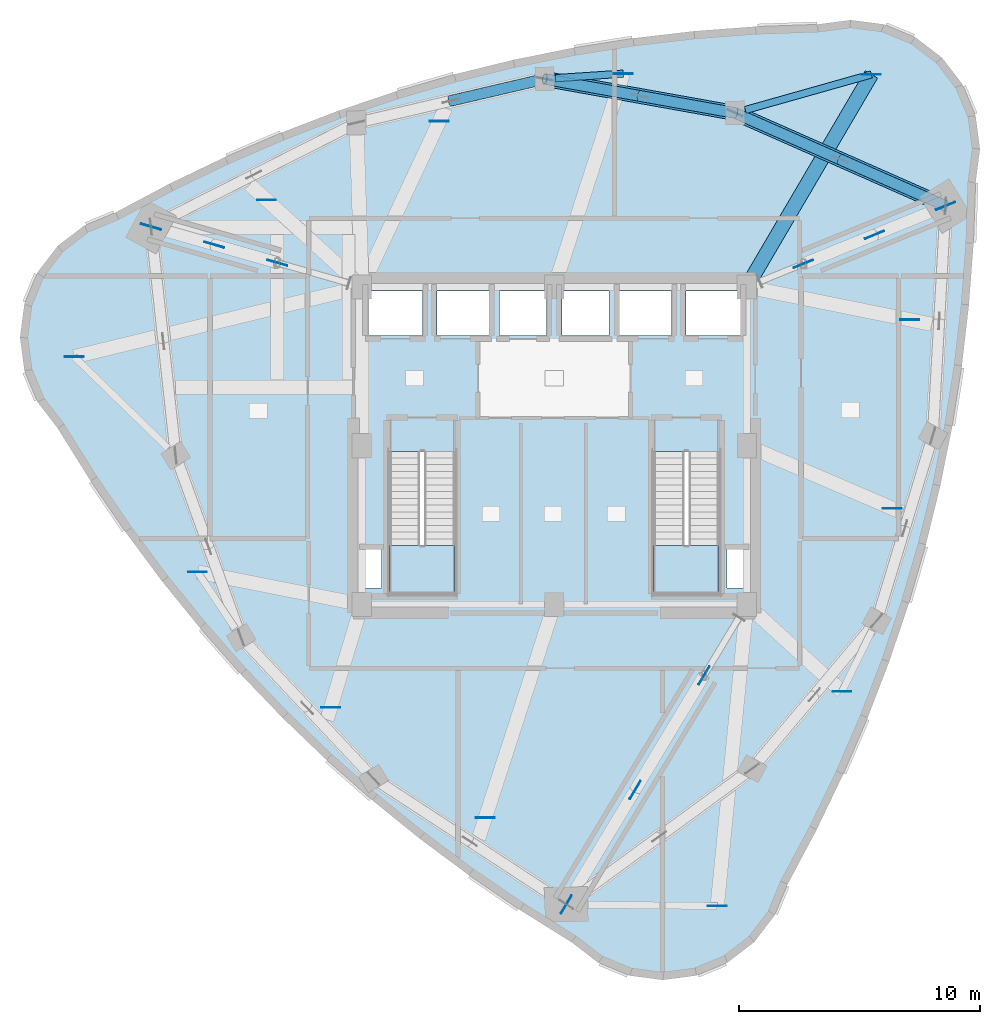
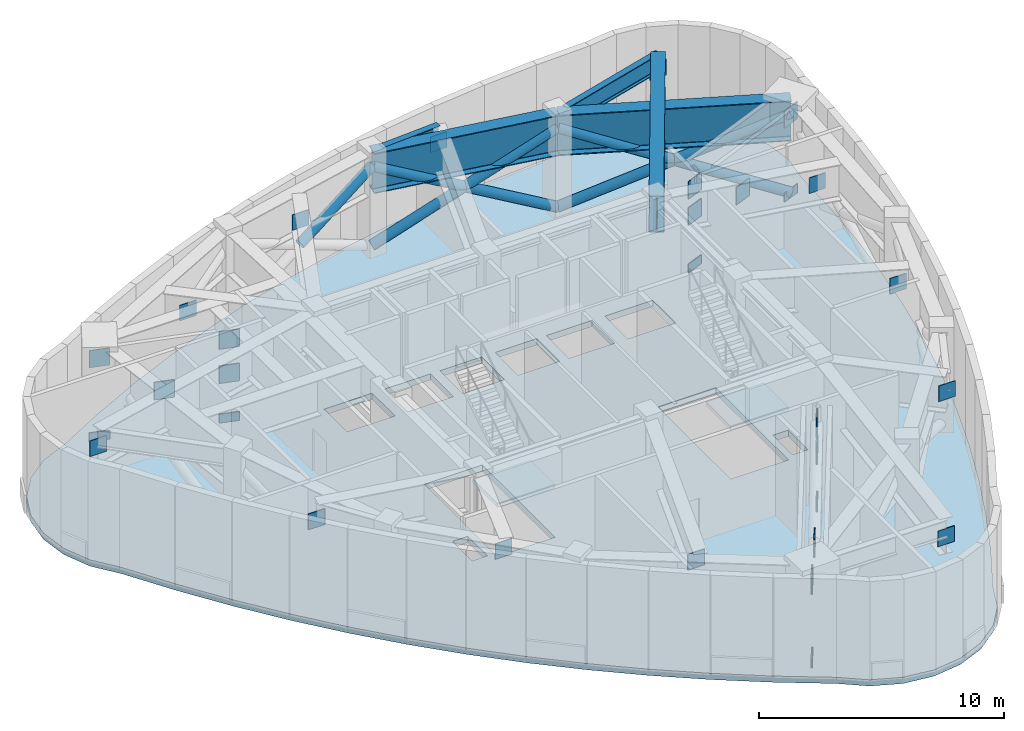
# One storey, part 3 of 10: 30 plates, 7 members, 5 beams, 3 slabs, 2 elements without a shape of their own.
"""IFC4 building model written with IfcOpenShell, lengths in metres."""

from ifc_helpers import new_model, si_unit, direction, frame, origin, origin_2d, place, context, subcontext, project, spatial, polyline, rectangle, hollow_circle, i_section, outline, extrude, material, layer, layer_set, material_profile, profile_set, type_object, element, aggregate, save


model = new_model("IFC4")

# Units and contexts
model_context = context("Model", 3, precision=1e-05, world=origin(), true_north=direction((0.0, 1.0)))
body_context = subcontext(model_context, "Body", "Model", "MODEL_VIEW")
ifc_project = project(units=[si_unit("LENGTHUNIT", "METRE"), si_unit("AREAUNIT", "SQUARE_METRE"), si_unit("VOLUMEUNIT", "CUBIC_METRE"), si_unit("PLANEANGLEUNIT", "RADIAN"), si_unit("MASSUNIT", "GRAM", prefix="KILO")], contexts=[model_context])

# Site, building, storey
site_placement = place(None, origin())
site = spatial("IfcSite", under=ifc_project, at=site_placement, CompositionType="ELEMENT")
building_placement = place(site_placement, origin())
building = spatial("IfcBuilding", under=site, at=building_placement, Name="Ndelora Gate Hotel", CompositionType="ELEMENT")
storey_placement = place(building_placement, frame((0.0, 0.0, 254.949951171875)))
storey = spatial("IfcBuildingStorey", under=building, at=storey_placement, Name="L64", CompositionType="ELEMENT", Elevation=254.949951171875)

# Beams
ifc_material_1 = material(Name="Steel S460", Category="steel")
ifc_material_profile_1 = material_profile(ifc_material_1, i_section(OverallWidth=0.300048828125, OverallDepth=0.89990234375, WebThickness=0.0185546875, FlangeThickness=0.034912109375, FilletRadius=0.030029296875, at=origin_2d()), Name="HEB 900")
ifc_profile_set_1 = profile_set([ifc_material_profile_1], Name="Steel S460")
beam_type_1 = type_object("IfcBeamType", Name="BM-BELT-900", PredefinedType="SPANDREL", material=ifc_profile_set_1)
beam_1_placement = place(storey_placement, frame((13.177001953125, 15.428466796875, 4.550048828125), z_axis=(-0.962397948277, -0.271643496429, 0.0), x_axis=(0.271643496429, -0.962397948277, 0.0)))
element("IfcBeam", 1, at=beam_1_placement, inside=storey, type_object=beam_type_1, Name="L64 Setback Corner Transfer Edge Tie 3", PredefinedType="SPANDREL", context=body_context, shape_type="SweptSolid", body=[
    extrude(i_section(OverallWidth=0.300048828125, OverallDepth=0.89990234375, WebThickness=0.0185546875, FlangeThickness=0.034912109375, FilletRadius=0.030029296875, at=origin_2d()), origin(), (0.0, 0.0, 1.0), 5.440185546875),
])
beam_2_placement = place(storey_placement, frame((2.865478515625, 15.461181640625, 4.550048828125), z_axis=(-0.997767129488, -0.06678888615, 0.0), x_axis=(0.06678888615, -0.997767129488, 0.0)))
element("IfcBeam", 2, at=beam_2_placement, inside=storey, type_object=beam_type_1, Name="L64 Setback Corner Transfer Edge Tie 10", PredefinedType="SPANDREL", context=body_context, shape_type="SweptSolid", body=[
    extrude(i_section(OverallWidth=0.300048828125, OverallDepth=0.89990234375, WebThickness=0.0185546875, FlangeThickness=0.034912109375, FilletRadius=0.030029296875, at=origin_2d()), origin(), (0.0, 0.0, 1.0), 2.822021484375),
])
ifc_material_profile_2 = material_profile(ifc_material_1, i_section(OverallWidth=0.60009765625, OverallDepth=1.800048828125, WebThickness=0.028076171875, FlangeThickness=0.0400390625, FilletRadius=0.02392578125, at=origin_2d()), Name="PG 1800x600x40")
ifc_profile_set_2 = profile_set([ifc_material_profile_2], Name="Steel S460")
beam_type_2 = type_object("IfcBeamType", Name="BM-TR-1800", PredefinedType="BEAM", material=ifc_profile_set_2)
beam_3_placement = place(storey_placement, frame((8.0, 6.60009765625, 4.10009765625), z_axis=(0.505846833852, 0.862623313319, 0.0), x_axis=(-0.862623313319, 0.505846833852, 0.0)))
element("IfcBeam", 3, at=beam_3_placement, inside=storey, type_object=beam_type_2, Name="L64 Setback Two-Support Radial Transfer Girder 3", PredefinedType="BEAM", context=body_context, shape_type="SweptSolid", body=[
    extrude(i_section(OverallWidth=0.60009765625, OverallDepth=1.800048828125, WebThickness=0.028076171875, FlangeThickness=0.0400390625, FilletRadius=0.02392578125, at=origin_2d()), origin(), (0.0, 0.0, 1.0), 10.234375),
])
ifc_material_profile_3 = material_profile(ifc_material_1, i_section(OverallWidth=0.6201171875, OverallDepth=2.0, WebThickness=0.028076171875, FlangeThickness=0.0400390625, FilletRadius=0.02392578125, at=origin_2d()), Name="PG 2000x620x40")
ifc_profile_set_3 = profile_set([ifc_material_profile_3], Name="Steel S460")
beam_type_3 = type_object("IfcBeamType", Name="BM-TR-2000", PredefinedType="BEAM", material=ifc_profile_set_3)
beam_4_placement = place(storey_placement, frame((16.26025390625, 9.96435546875, 4.0), z_axis=(-0.914807449647, 0.403890245078, 0.0), x_axis=(-0.403890245078, -0.914807449647, 0.0)))
element("IfcBeam", 4, at=beam_4_placement, inside=storey, type_object=beam_type_3, Name="L64 Belt Truss Top Chord Girder 9", PredefinedType="BEAM", context=body_context, shape_type="SweptSolid", body=[
    extrude(i_section(OverallWidth=0.6201171875, OverallDepth=2.0, WebThickness=0.028076171875, FlangeThickness=0.0400390625, FilletRadius=0.02392578125, at=origin_2d()), origin(), (0.0, 0.0, 1.0), 9.56689453125),
])
beam_5_placement = place(storey_placement, frame((7.50830078125, 13.828369140625, 4.0), z_axis=(-0.984373619655, 0.176092523767, 0.0), x_axis=(-0.176092523767, -0.984373619655, 0.0)))
element("IfcBeam", 5, at=beam_5_placement, inside=storey, type_object=beam_type_3, Name="L64 Belt Truss Top Chord Girder 10", PredefinedType="BEAM", context=body_context, shape_type="SweptSolid", body=[
    extrude(i_section(OverallWidth=0.6201171875, OverallDepth=2.0, WebThickness=0.028076171875, FlangeThickness=0.0400390625, FilletRadius=0.02392578125, at=origin_2d()), origin(), (0.0, 0.0, 1.0), 8.032958984375),
])

# Members
ifc_material_profile_4 = material_profile(ifc_material_1, hollow_circle(Radius=0.228515625, WallThickness=0.02490234375, at=origin_2d()), Name="CHS 457x25")
ifc_profile_set_4 = profile_set([ifc_material_profile_4], Name="Steel S460")
member_type = type_object("IfcMemberType", Name="MB-BELT-457", PredefinedType="BRACE", material=ifc_profile_set_4)
member_1_placement = place(storey_placement, frame((16.26025390625, 9.96435546875, 0.239990234375), z_axis=(-0.845259809542, 0.373184752444, 0.382451297444), x_axis=(-0.403890245078, -0.914807449647, 0.0)))
element("IfcMember", 6, at=member_1_placement, inside=storey, type_object=member_type, Name="L64 Storey-Deep Belt Truss Continuous Diagonal 9A", PredefinedType="BRACE", context=body_context, shape_type="SweptSolid", body=[
    extrude(hollow_circle(Radius=0.228515625, WallThickness=0.02490234375, at=origin_2d()), origin(), (0.0, 0.0, 1.0), 10.354248046875),
])
member_2_placement = place(storey_placement, frame((7.50830078125, 13.828369140625, 0.239990234375), z_axis=(0.845267247118, -0.373164456954, 0.382454662694), x_axis=(0.40386888854, 0.914816878326, 0.0)))
element("IfcMember", 7, at=member_2_placement, inside=storey, type_object=member_type, Name="L64 Storey-Deep Belt Truss Split Diagonal 9B-Lower", PredefinedType="BRACE", context=body_context, shape_type="SweptSolid", body=[
    extrude(hollow_circle(Radius=0.228515625, WallThickness=0.02490234375, at=origin_2d()), origin(), (0.0, 0.0, 1.0), 5.177001953125),
])
member_3_placement = place(storey_placement, frame((11.88427734375, 11.896484375, 2.219970703125), z_axis=(0.845252371692, -0.373205047399, 0.38244793207), x_axis=(0.403911600956, 0.914798020665, 0.0)))
element("IfcMember", 8, at=member_3_placement, inside=storey, type_object=member_type, Name="L64 Storey-Deep Belt Truss Split Diagonal 9B-Upper", PredefinedType="BRACE", context=body_context, shape_type="SweptSolid", body=[
    extrude(hollow_circle(Radius=0.228515625, WallThickness=0.02490234375, at=origin_2d()), origin(), (0.0, 0.0, 1.0), 5.17724609375),
])
member_4_placement = place(storey_placement, frame((7.50830078125, 13.828369140625, 0.239990234375), z_axis=(-0.882922165509, 0.157944086787, 0.4421562112), x_axis=(-0.176092523767, -0.984373619655, 0.0)))
element("IfcMember", 9, at=member_4_placement, inside=storey, type_object=member_type, Name="L64 Storey-Deep Belt Truss Continuous Diagonal 10A", PredefinedType="BRACE", context=body_context, shape_type="SweptSolid", body=[
    extrude(hollow_circle(Radius=0.228515625, WallThickness=0.02490234375, at=origin_2d()), origin(), (0.0, 0.0, 1.0), 8.9560546875),
])
member_5_placement = place(storey_placement, frame((-0.399169921875, 15.242919921875, 0.239990234375), z_axis=(0.882928174703, -0.157940285404, 0.442145569425), x_axis=(0.176087255709, 0.984374562033, 0.0)))
element("IfcMember", 10, at=member_5_placement, inside=storey, type_object=member_type, Name="L64 Storey-Deep Belt Truss Split Diagonal 10B-Lower", PredefinedType="BRACE", context=body_context, shape_type="SweptSolid", body=[
    extrude(hollow_circle(Radius=0.228515625, WallThickness=0.02490234375, at=origin_2d()), origin(), (0.0, 0.0, 1.0), 4.47802734375),
])
for number, where, z_axis, x_axis, name in (
    (11, (3.5546875, 14.53564453125, 2.219970703125), (0.88291615588, -0.157947888328, 0.442166853414), (0.176097792135, 0.984372677194, 0.0), "L64 Storey-Deep Belt Truss Split Diagonal 10B-Upper"),
    (12, (-4.310302734375, 14.32958984375, 2.219970703125), (0.873433056905, 0.203964610854, 0.442168669881), (-0.227402555898, 0.973800840814, 0.0), "L64 Storey-Deep Belt Truss Split Diagonal 11B-Upper"),
):
    element("IfcMember", number, at=place(storey_placement, frame(where, z_axis=z_axis, x_axis=x_axis)), inside=storey, type_object=member_type, Name=name, PredefinedType="BRACE", context=body_context, shape_type="SweptSolid", body=[
        extrude(hollow_circle(Radius=0.228515625, WallThickness=0.02490234375, at=origin_2d()), origin(), (0.0, 0.0, 1.0), 4.477783203125),
    ])

# Plates
ifc_layer_1 = layer(ifc_material_1, 0.030029296875)
ifc_layer_set_1 = layer_set([ifc_layer_1], Name="Steel S460")
plate_type_1 = type_object("IfcPlateType", Name="PL-NODE-KN3", PredefinedType="USERDEFINED", material=ifc_layer_set_1)
for number, where, z_axis, x_axis, name in (
    (13, (-19.949951171875, 3.697509765625, 3.7099609375), (0.0, 0.0, 1.0), (1.0, 0.0, 0.0), "Node gusset cap plate KN3"),
    (14, (6.772705078125, -19.1259765625, 3.7099609375), (0.0, 0.0, 1.0), (1.0, 0.0, 0.0), "Node gusset cap plate KN3"),
    (15, (13.177001953125, 15.428466796875, 3.7099609375), (0.0, 0.0, 1.0), (1.0, 0.0, 0.0), "Node gusset cap plate KN3"),
    (16, (-14.822509765625, -5.248779296875, 3.7099609375), (0.0, 0.0, 1.0), (1.0, 0.0, 0.0), "Node gusset cap plate KN3"),
    (17, (-9.2890625, -10.876220703125, 3.7099609375), (0.0, 0.0, 1.0), (1.0, 0.0, 0.0), "Node gusset cap plate KN3"),
    (18, (-2.865478515625, -15.461181640625, 3.7099609375), (0.0, 0.0, 1.0), (1.0, 0.0, 0.0), "Node gusset cap plate KN3"),
    (19, (11.956787109375, -10.212158203125, 3.7099609375), (0.0, 0.0, 1.0), (1.0, 0.0, 0.0), "Node gusset cap plate KN3"),
    (20, (14.0498046875, -2.60400390625, 3.7099609375), (0.0, 0.0, 1.0), (1.0, 0.0, 0.0), "Node gusset cap plate KN3"),
    (21, (14.77490234375, 5.232177734375, 3.7099609375), (0.0, 0.0, 1.0), (1.0, 0.0, 0.0), "Node gusset cap plate KN3"),
    (22, (2.865478515625, 15.461181640625, 3.7099609375), (0.0, 0.0, 1.0), (1.0, 0.0, 0.0), "Node gusset cap plate KN3"),
    (23, (-4.7744140625, 13.482666015625, 3.7099609375), (0.0, 0.0, 1.0), (1.0, 0.0, 0.0), "Node gusset cap plate KN3"),
    (24, (-11.956787109375, 10.212158203125, 3.7099609375), (0.0, 0.0, 1.0), (1.0, 0.0, 0.0), "Node gusset cap plate KN3"),
):
    element("IfcPlate", number, at=place(storey_placement, frame(where, z_axis=z_axis, x_axis=x_axis)), inside=storey, type_object=plate_type_1, Name=name, ObjectType="GUSSET_PLATE", PredefinedType="USERDEFINED", context=body_context, shape_type="SweptSolid", body=[
        extrude(rectangle(XDim=0.780029296875, YDim=0.030029296875, at=origin_2d()), origin(), (0.0, 0.0, 1.0), 0.780029296875),
    ])
ifc_layer_2 = layer(ifc_material_1, 0.035888671875)
ifc_layer_set_2 = layer_set([ifc_layer_2], Name="Steel S460")
plate_type_2 = type_object("IfcPlateType", Name="PL-NODE-ON1", PredefinedType="USERDEFINED", material=ifc_layer_set_2)
for number, where, z_axis, x_axis, name in (
    (25, (-11.510009765625, 7.6015625, 1.97021484375), (0.0, 0.0, 1.0), (-0.961597733011, 0.274462747688, 0.0), "Node gusset cap plate ON1"),
    (26, (-11.510009765625, 7.6015625, -0.43017578125), (0.0, 0.0, 1.0), (-0.961597733011, 0.274462747688, 0.0), "Node gusset cap plate ON1"),
    (27, (-16.759521484375, 9.099609375, 3.669921875), (0.0, 0.0, 1.0), (-0.961597733011, 0.274462747688, 0.0), "Node gusset cap plate ON1"),
    (28, (-11.510009765625, 7.6015625, 3.669921875), (0.0, 0.0, 1.0), (-0.961597733011, 0.274462747688, 0.0), "Node gusset cap plate ON1"),
    (29, (-16.759521484375, 9.099609375, -0.43017578125), (0.0, 0.0, 1.0), (-0.961597733011, 0.274462747688, 0.0), "Node gusset cap plate ON1"),
    (30, (-14.134765625, 8.3505859375, 1.6201171875), (0.0, 0.0, 1.0), (-0.961597733011, 0.274462747688, 0.0), "Node gusset cap plate ON1"),
    (31, (6.224609375, -9.550048828125, 2.3701171875), (0.0, 0.0, 1.0), (0.515636365015, 0.856807527438, 0.0), "Node gusset cap plate ON1"),
    (32, (6.224609375, -9.550048828125, -0.43017578125), (0.0, 0.0, 1.0), (0.515636365015, 0.856807527438, 0.0), "Node gusset cap plate ON1"),
    (33, (0.499267578125, -19.064208984375, 3.669921875), (0.0, 0.0, 1.0), (0.515636365015, 0.856807527438, 0.0), "Node gusset cap plate ON1"),
    (34, (6.224609375, -9.550048828125, 3.669921875), (0.0, 0.0, 1.0), (0.515636365015, 0.856807527438, 0.0), "Node gusset cap plate ON1"),
    (35, (0.499267578125, -19.064208984375, -0.43017578125), (0.0, 0.0, 1.0), (0.515636365015, 0.856807527438, 0.0), "Node gusset cap plate ON1"),
    (36, (3.362060546875, -14.30712890625, 1.6201171875), (0.0, 0.0, 1.0), (0.515636365015, 0.856807527438, 0.0), "Node gusset cap plate ON1"),
    (37, (10.35009765625, 7.55712890625, 2.3701171875), (0.0, 0.0, 1.0), (0.926134141791, 0.377194315187, 0.0), "Node gusset cap plate ON1"),
    (38, (10.35009765625, 7.55712890625, -0.43017578125), (0.0, 0.0, 1.0), (0.926134141791, 0.377194315187, 0.0), "Node gusset cap plate ON1"),
    (39, (16.26025390625, 9.96435546875, 3.669921875), (0.0, 0.0, 1.0), (0.926134141791, 0.377194315187, 0.0), "Node gusset cap plate ON1"),
    (40, (10.35009765625, 7.55712890625, 3.669921875), (0.0, 0.0, 1.0), (0.926134141791, 0.377194315187, 0.0), "Node gusset cap plate ON1"),
    (41, (16.26025390625, 9.96435546875, -0.43017578125), (0.0, 0.0, 1.0), (0.926134141791, 0.377194315187, 0.0), "Node gusset cap plate ON1"),
    (42, (13.30517578125, 8.7607421875, 1.6201171875), (0.0, 0.0, 1.0), (0.926134141791, 0.377194315187, 0.0), "Node gusset cap plate ON1"),
):
    element("IfcPlate", number, at=place(storey_placement, frame(where, z_axis=z_axis, x_axis=x_axis)), inside=storey, type_object=plate_type_2, Name=name, ObjectType="GUSSET_PLATE", PredefinedType="USERDEFINED", context=body_context, shape_type="SweptSolid", body=[
        extrude(rectangle(XDim=0.860107421875, YDim=0.035888671875, at=origin_2d()), origin(), (0.0, 0.0, 1.0), 0.860107421875),
    ])

# Stair, slab
ifc_material_2 = material(Name="Precast concrete C40/50", Category="concrete")
stair_type = type_object("IfcStairType", Name="STR-DOG-CORE", PredefinedType="HALF_TURN_STAIR", material=ifc_material_2)
stair_1_placement = place(storey_placement, origin())
stair_1 = element("IfcStair", 43, at=stair_1_placement, inside=storey, type_object=stair_type, Name="L64 Protected Core Exit Stair ST4", PredefinedType="HALF_TURN_STAIR")
ifc_layer_3 = layer(ifc_material_2, 0.219970703125)
ifc_layer_set_3 = layer_set([ifc_layer_3], Name="Precast concrete C40/50")
slab_type_1 = type_object("IfcSlabType", Name="SL-LAND-220", PredefinedType="LANDING", material=ifc_layer_set_3)
slab_1_placement = place(storey_placement, frame((0.0, 0.0, 2.425048828125)))
slab_1 = element("IfcSlab", 44, at=slab_1_placement, type_object=slab_type_1, Name="ST4 landing 1", PredefinedType="LANDING", context=body_context, shape_type="SweptSolid", body=[
    extrude(outline(polyline([(-6.85009765625, -4.14990234375), (-6.85009765625, -6.14990234375), (-4.1298828125, -6.14990234375), (-4.1298828125, -4.14990234375), (-6.85009765625, -4.14990234375)])), origin(), (0.0, 0.0, 1.0), 0.199951171875),
])
aggregate(stair_1, [slab_1])

stair_2_placement = place(storey_placement, origin())
stair_2 = element("IfcStair", 45, at=stair_2_placement, inside=storey, type_object=stair_type, Name="L64 Protected Core Exit Stair ST5", PredefinedType="HALF_TURN_STAIR")
slab_2_placement = place(storey_placement, frame((0.0, 0.0, 2.425048828125)))
slab_2 = element("IfcSlab", 46, at=slab_2_placement, type_object=slab_type_1, Name="ST5 landing 1", PredefinedType="LANDING", context=body_context, shape_type="SweptSolid", body=[
    extrude(outline(polyline([(4.1298828125, -4.14990234375), (4.1298828125, -6.14990234375), (6.85009765625, -6.14990234375), (6.85009765625, -4.14990234375), (4.1298828125, -4.14990234375)])), origin(), (0.0, 0.0, 1.0), 0.199951171875),
])
aggregate(stair_2, [slab_2])

# Slab
ifc_material_3 = material(Name="Concrete C50/60", Category="concrete")
ifc_layer_4 = layer(ifc_material_3, 0.31005859375)
ifc_layer_set_4 = layer_set([ifc_layer_4], Name="Concrete C50/60")
slab_type_2 = type_object("IfcSlabType", Name="SL-PLT-310", PredefinedType="FLOOR", material=ifc_layer_set_4)
slab_3_placement = place(storey_placement, frame((0.0, 0.0, -0.31005859375)))
element("IfcSlab", 47, at=slab_3_placement, inside=storey, type_object=slab_type_2, Name="L64 Structural Floor Slab", PredefinedType="FLOOR", context=body_context, shape_type="SweptSolid", body=[
    extrude(outline(polyline([(-18.180419921875, 9.53369140625), (-19.434326171875, 9.01416015625), (-20.511474609375, 8.187744140625), (-21.337890625, 7.11083984375), (-21.857177734375, 5.856689453125), (-22.034423828125, 4.5107421875), (-21.857177734375, 3.164794921875), (-21.337890625, 1.910888671875), (-20.511474609375, 0.833740234375), (-19.14306640625, -1.35546875), (-17.7001953125, -3.47021484375), (-16.1826171875, -5.510009765625), (-14.590576171875, -7.4755859375), (-12.923583984375, -9.3662109375), (-11.182373046875, -11.182373046875), (-9.3662109375, -12.923583984375), (-7.4755859375, -14.590576171875), (-5.510009765625, -16.1826171875), (-3.47021484375, -17.7001953125), (-1.35546875, -19.14306640625), (0.833740234375, -20.511474609375), (1.910888671875, -21.337890625), (3.164794921875, -21.857177734375), (4.5107421875, -22.034423828125), (5.856689453125, -21.857177734375), (7.11083984375, -21.337890625), (8.187744140625, -20.511474609375), (9.01416015625, -19.434326171875), (9.53369140625, -18.180419921875), (10.745361328125, -15.900634765625), (11.855224609375, -13.59375), (12.86328125, -11.259521484375), (13.769287109375, -8.89794921875), (14.5732421875, -6.50927734375), (15.275390625, -4.093017578125), (15.87548828125, -1.6494140625), (16.37353515625, 0.8212890625), (16.769775390625, 3.319580078125), (17.06396484375, 5.844970703125), (17.256103515625, 8.397705078125), (17.346435546875, 10.977783203125), (17.523681640625, 12.32373046875), (17.346435546875, 13.66943359375), (16.826904296875, 14.923583984375), (16.00048828125, 16.00048828125), (14.923583984375, 16.826904296875), (13.66943359375, 17.346435546875), (12.32373046875, 17.523681640625), (10.977783203125, 17.346435546875), (8.397705078125, 17.256103515625), (5.844970703125, 17.06396484375), (3.319580078125, 16.769775390625), (0.8212890625, 16.37353515625), (-1.6494140625, 15.87548828125), (-4.093017578125, 15.275390625), (-6.50927734375, 14.5732421875), (-8.89794921875, 13.769287109375), (-11.259521484375, 12.86328125), (-13.59375, 11.855224609375), (-15.900634765625, 10.745361328125), (-18.180419921875, 9.53369140625)]), holes=[polyline([(-6.85009765625, -0.22998046875), (-6.85009765625, -6.14990234375), (-4.1298828125, -6.14990234375), (-4.1298828125, -0.22998046875), (-6.85009765625, -0.22998046875)]), polyline([(4.1298828125, -0.22998046875), (4.1298828125, -6.14990234375), (6.85009765625, -6.14990234375), (6.85009765625, -0.22998046875), (4.1298828125, -0.22998046875)]), polyline([(-7.72998046875, 4.570068359375), (-5.469970703125, 4.570068359375), (-5.469970703125, 6.429931640625), (-7.72998046875, 6.429931640625), (-7.72998046875, 4.570068359375)]), polyline([(5.469970703125, 4.570068359375), (7.72998046875, 4.570068359375), (7.72998046875, 6.429931640625), (5.469970703125, 6.429931640625), (5.469970703125, 4.570068359375)]), polyline([(-4.8798828125, 4.570068359375), (-2.719970703125, 4.570068359375), (-2.719970703125, 6.429931640625), (-4.8798828125, 6.429931640625), (-4.8798828125, 4.570068359375)]), polyline([(2.719970703125, 4.570068359375), (4.8798828125, 4.570068359375), (4.8798828125, 6.429931640625), (2.719970703125, 6.429931640625), (2.719970703125, 4.570068359375)]), polyline([(-2.280029296875, 4.570068359375), (-0.320068359375, 4.570068359375), (-0.320068359375, 6.429931640625), (-2.280029296875, 6.429931640625), (-2.280029296875, 4.570068359375)]), polyline([(0.320068359375, 4.570068359375), (2.280029296875, 4.570068359375), (2.280029296875, 6.429931640625), (0.320068359375, 6.429931640625), (0.320068359375, 4.570068359375)]), polyline([(-7.89990234375, -5.919921875), (-7.179931640625, -5.919921875), (-7.179931640625, -4.320068359375), (-7.89990234375, -4.320068359375), (-7.89990234375, -5.919921875)]), polyline([(7.179931640625, -5.919921875), (7.89990234375, -5.919921875), (7.89990234375, -4.320068359375), (7.179931640625, -4.320068359375), (7.179931640625, -5.919921875)])]), origin(), (0.0, 0.0, 1.0), 0.31005859375),
])

save(model, "model.ifc")
